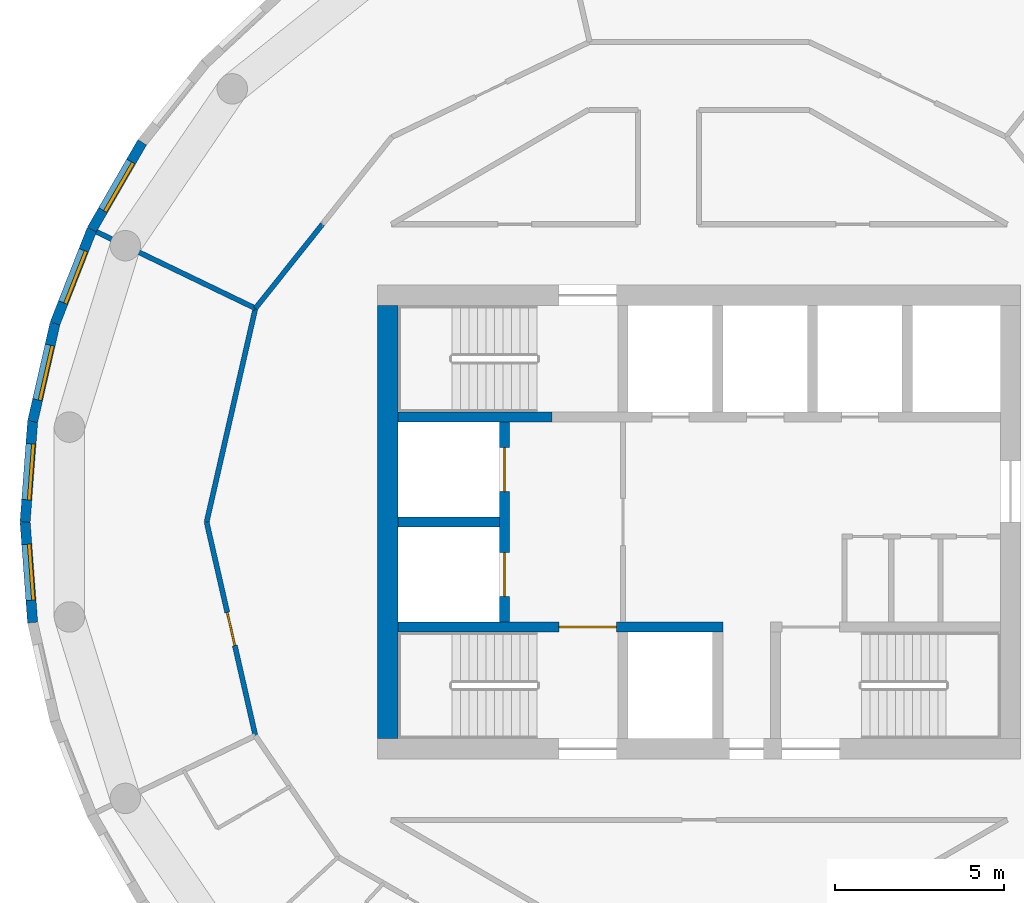
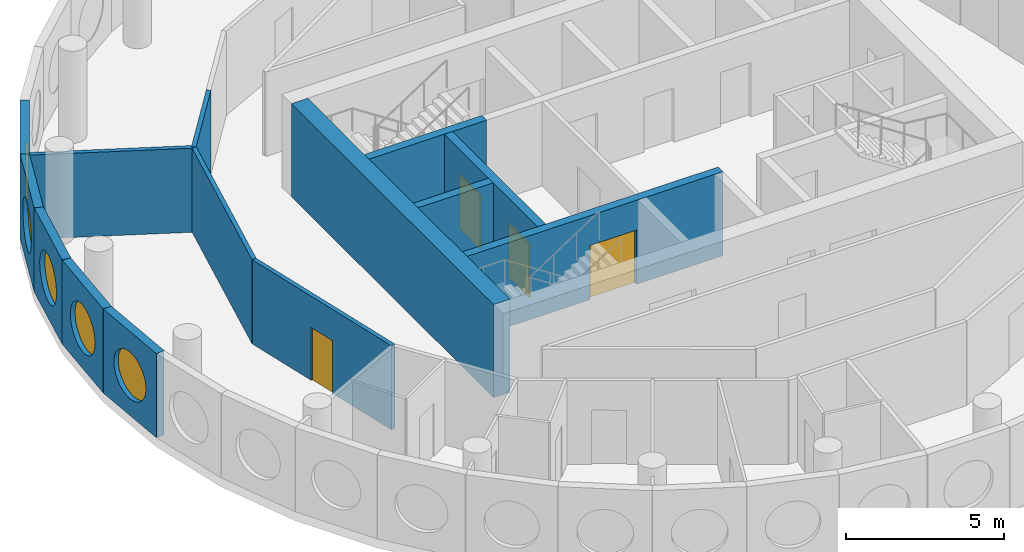
# One storey, part 5 of 12: 14 walls, 5 windows, 4 doors, 9 openings.
"""IFC4 building model written with IfcOpenShell, lengths in metres."""

from ifc_helpers import new_model, si_unit, direction, frame, frame_2d, origin, origin_2d, place, context, subcontext, project, spatial, rectangle, circle, extrude, material, layer, layer_set, type_object, element, fill, save


model = new_model("IFC4")

# Units and contexts
model_context = context("Model", 3, precision=1e-05, world=origin(), true_north=direction((0.0, 1.0)))
body_context = subcontext(model_context, "Body", "Model", "MODEL_VIEW")
ifc_project = project(units=[si_unit("LENGTHUNIT", "METRE"), si_unit("AREAUNIT", "SQUARE_METRE"), si_unit("VOLUMEUNIT", "CUBIC_METRE"), si_unit("PLANEANGLEUNIT", "RADIAN"), si_unit("MASSUNIT", "GRAM", prefix="KILO")], contexts=[model_context])

# Site, building, storey
site_placement = place(None, origin())
site = spatial("IfcSite", under=ifc_project, at=site_placement, CompositionType="ELEMENT")
building_placement = place(site_placement, origin())
building = spatial("IfcBuilding", under=site, at=building_placement, Name="Tracery Tower", CompositionType="ELEMENT")
storey_placement = place(building_placement, frame((0.0, 0.0, 327.0)))
storey = spatial("IfcBuildingStorey", under=building, at=storey_placement, Name="L85", CompositionType="ELEMENT", Elevation=327.0)

# Wall
ifc_material_1 = material(Name="Concrete C40/50", Category="concrete")
ifc_layer_1 = layer(ifc_material_1, 0.60009765625)
ifc_layer_set_1 = layer_set([ifc_layer_1], Name="Core wall 600 C40")
wall_type_1 = type_object("IfcWallType", Name="Core wall 600 C40", PredefinedType="SOLIDWALL", material=ifc_layer_set_1)
wall_1_placement = place(storey_placement, frame((-9.199951171875, -6.39990234375, 0.0), z_axis=(0.0, 0.0, 1.0), x_axis=(0.0, 1.0, 0.0)))
element("IfcWall", 1, at=wall_1_placement, inside=storey, type_object=wall_type_1, Name="L85 outer W", PredefinedType="SOLIDWALL", context=body_context, shape_type="SweptSolid", body=[
    extrude(rectangle(XDim=12.7998046875, YDim=0.60009765625, at=frame_2d((6.39990234375, 0.0))), origin(), (0.0, 0.0, 1.0), 3.60009765625),
])

# Wall, opening, window
ifc_material_2 = material(Name="Precast concrete C50/60", Category="concrete")
ifc_layer_2 = layer(ifc_material_2, 0.300048828125)
ifc_layer_set_2 = layer_set([ifc_layer_2], Name="Facade panel 3000 x 3250")
wall_type_2 = type_object("IfcWallType", Name="Facade panel 3000 x 3250", PredefinedType="SOLIDWALL", material=ifc_layer_set_2)
wall_2_placement = place(storey_placement, frame((-16.460205078125, 11.222412109375, 0.0), z_axis=(0.0, 0.0, 1.0), x_axis=(-0.500001626982, -0.866024464444, 0.0)))
wall_2 = element("IfcWall", 2, at=wall_2_placement, inside=storey, type_object=wall_type_2, Name="Facade panel 18 at L85", PredefinedType="SOLIDWALL", context=body_context, shape_type="SweptSolid", body=[
    extrude(rectangle(XDim=2.9775390625, YDim=0.300048828125, at=frame_2d((1.48876953125, 0.0))), origin(), (0.0, 0.0, 1.0), 3.25),
])
opening_1_placement = place(wall_2_placement, frame((1.48876953125, 0.0, 1.5498046875)))
opening_1 = element("IfcOpeningElement", 3, at=opening_1_placement, cuts=wall_2, Name="Opening WN1", PredefinedType="OPENING", context=body_context, shape_type="SweptSolid", body=[
    extrude(circle(Radius=0.9000244140625, at=origin_2d()), frame((0.0, 0.159912109375, 0.0), z_axis=(0.0, -1.0, 0.0), x_axis=(1.0, 0.0, 0.0)), (0.0, 0.0, 1.0), 0.320068359375),
])
ifc_material_3 = material(Name="Aluminium frame with tinted double glazing", Category="aluminium")
window_type = type_object("IfcWindowType", Name="Round window 1800", PartitioningType="SINGLE_PANEL", PredefinedType="WINDOW", material=ifc_material_3)
window_1_placement = place(opening_1_placement, origin())
window_1 = element("IfcWindow", 4, at=window_1_placement, inside=storey, type_object=window_type, Name="Round window 18 at L85", OverallHeight=1.800048828125, OverallWidth=1.800048828125, PartitioningType="SINGLE_PANEL", PredefinedType="WINDOW", context=body_context, shape_type="SweptSolid", body=[
    extrude(circle(Radius=0.9000244140625, at=origin_2d()), frame((0.0, 0.1201171875, 0.0), z_axis=(0.0, -1.0, 0.0), x_axis=(1.0, 0.0, 0.0)), (0.0, 0.0, 1.0), 0.10009765625),
])
fill(opening_1, window_1)

wall_3_placement = place(storey_placement, frame((-17.948974609375, 8.643798828125, 0.0), z_axis=(0.0, 0.0, 1.0), x_axis=(-0.365289571566, -0.930893940739, 0.0)))
wall_3 = element("IfcWall", 5, at=wall_3_placement, inside=storey, type_object=wall_type_2, Name="Facade panel 19 at L85", PredefinedType="SOLIDWALL", context=body_context, shape_type="SweptSolid", body=[
    extrude(rectangle(XDim=2.9775390625, YDim=0.300048828125, at=frame_2d((1.48876953125, 0.0))), origin(), (0.0, 0.0, 1.0), 3.25),
])
opening_2_placement = place(wall_3_placement, frame((1.48876953125, 0.0, 1.5498046875)))
opening_2 = element("IfcOpeningElement", 6, at=opening_2_placement, cuts=wall_3, Name="Opening WN1", PredefinedType="OPENING", context=body_context, shape_type="SweptSolid", body=[
    extrude(circle(Radius=0.9000244140625, at=origin_2d()), frame((0.0, 0.159912109375, 0.0), z_axis=(0.0, -1.0, 0.0), x_axis=(1.0, 0.0, 0.0)), (0.0, 0.0, 1.0), 0.320068359375),
])
window_2_placement = place(opening_2_placement, origin())
window_2 = element("IfcWindow", 7, at=window_2_placement, inside=storey, type_object=window_type, Name="Round window 19 at L85", OverallHeight=1.800048828125, OverallWidth=1.800048828125, PartitioningType="SINGLE_PANEL", PredefinedType="WINDOW", context=body_context, shape_type="SweptSolid", body=[
    extrude(circle(Radius=0.9000244140625, at=origin_2d()), frame((0.0, 0.1201171875, 0.0), z_axis=(0.0, -1.0, 0.0), x_axis=(1.0, 0.0, 0.0)), (0.0, 0.0, 1.0), 0.10009765625),
])
fill(opening_2, window_2)

wall_4_placement = place(storey_placement, frame((-19.03662109375, 5.8720703125, 0.0), z_axis=(0.0, 0.0, 1.0), x_axis=(-0.222535358937, -0.974924619662, 0.0)))
wall_4 = element("IfcWall", 8, at=wall_4_placement, inside=storey, type_object=wall_type_2, Name="Facade panel 20 at L85", PredefinedType="SOLIDWALL", context=body_context, shape_type="SweptSolid", body=[
    extrude(rectangle(XDim=2.9775390625, YDim=0.300048828125, at=frame_2d((1.48876953125, 0.0))), origin(), (0.0, 0.0, 1.0), 3.25),
])
opening_3_placement = place(wall_4_placement, frame((1.48876953125, 0.0, 1.5498046875)))
opening_3 = element("IfcOpeningElement", 9, at=opening_3_placement, cuts=wall_4, Name="Opening WN1", PredefinedType="OPENING", context=body_context, shape_type="SweptSolid", body=[
    extrude(circle(Radius=0.9000244140625, at=origin_2d()), frame((0.0, 0.159912109375, 0.0), z_axis=(0.0, -1.0, 0.0), x_axis=(1.0, 0.0, 0.0)), (0.0, 0.0, 1.0), 0.320068359375),
])
window_3_placement = place(opening_3_placement, origin())
window_3 = element("IfcWindow", 10, at=window_3_placement, inside=storey, type_object=window_type, Name="Round window 20 at L85", OverallHeight=1.800048828125, OverallWidth=1.800048828125, PartitioningType="SINGLE_PANEL", PredefinedType="WINDOW", context=body_context, shape_type="SweptSolid", body=[
    extrude(circle(Radius=0.9000244140625, at=origin_2d()), frame((0.0, 0.1201171875, 0.0), z_axis=(0.0, -1.0, 0.0), x_axis=(1.0, 0.0, 0.0)), (0.0, 0.0, 1.0), 0.10009765625),
])
fill(opening_3, window_3)

wall_5_placement = place(storey_placement, frame((-19.69921875, 2.96923828125, 0.0), z_axis=(0.0, 0.0, 1.0), x_axis=(-0.074777718064, -0.997200227076, 0.0)))
wall_5 = element("IfcWall", 11, at=wall_5_placement, inside=storey, type_object=wall_type_2, Name="Facade panel 21 at L85", PredefinedType="SOLIDWALL", context=body_context, shape_type="SweptSolid", body=[
    extrude(rectangle(XDim=2.9775390625, YDim=0.300048828125, at=frame_2d((1.48876953125, 0.0))), origin(), (0.0, 0.0, 1.0), 3.25),
])
opening_4_placement = place(wall_5_placement, frame((1.48876953125, 0.0, 1.5498046875)))
opening_4 = element("IfcOpeningElement", 12, at=opening_4_placement, cuts=wall_5, Name="Opening WN1", PredefinedType="OPENING", context=body_context, shape_type="SweptSolid", body=[
    extrude(circle(Radius=0.9000244140625, at=origin_2d()), frame((0.0, 0.159912109375, 0.0), z_axis=(0.0, -1.0, 0.0), x_axis=(1.0, 0.0, 0.0)), (0.0, 0.0, 1.0), 0.320068359375),
])
window_4_placement = place(opening_4_placement, origin())
window_4 = element("IfcWindow", 13, at=window_4_placement, inside=storey, type_object=window_type, Name="Round window 21 at L85", OverallHeight=1.800048828125, OverallWidth=1.800048828125, PartitioningType="SINGLE_PANEL", PredefinedType="WINDOW", context=body_context, shape_type="SweptSolid", body=[
    extrude(circle(Radius=0.9000244140625, at=origin_2d()), frame((0.0, 0.1201171875, 0.0), z_axis=(0.0, -1.0, 0.0), x_axis=(1.0, 0.0, 0.0)), (0.0, 0.0, 1.0), 0.10009765625),
])
fill(opening_4, window_4)

wall_6_placement = place(storey_placement, frame((-19.921875, 0.0, 0.0), z_axis=(0.0, 0.0, 1.0), x_axis=(0.074777718064, -0.997200227076, 0.0)))
wall_6 = element("IfcWall", 14, at=wall_6_placement, inside=storey, type_object=wall_type_2, Name="Facade panel 22 at L85", PredefinedType="SOLIDWALL", context=body_context, shape_type="SweptSolid", body=[
    extrude(rectangle(XDim=2.9775390625, YDim=0.300048828125, at=frame_2d((1.48876953125, 0.0))), origin(), (0.0, 0.0, 1.0), 3.25),
])
opening_5_placement = place(wall_6_placement, frame((1.48876953125, 0.0, 1.5498046875)))
opening_5 = element("IfcOpeningElement", 15, at=opening_5_placement, cuts=wall_6, Name="Opening WN1", PredefinedType="OPENING", context=body_context, shape_type="SweptSolid", body=[
    extrude(circle(Radius=0.9000244140625, at=origin_2d()), frame((0.0, 0.159912109375, 0.0), z_axis=(0.0, -1.0, 0.0), x_axis=(1.0, 0.0, 0.0)), (0.0, 0.0, 1.0), 0.320068359375),
])
window_5_placement = place(opening_5_placement, origin())
window_5 = element("IfcWindow", 16, at=window_5_placement, inside=storey, type_object=window_type, Name="Round window 22 at L85", OverallHeight=1.800048828125, OverallWidth=1.800048828125, PartitioningType="SINGLE_PANEL", PredefinedType="WINDOW", context=body_context, shape_type="SweptSolid", body=[
    extrude(circle(Radius=0.9000244140625, at=origin_2d()), frame((0.0, 0.1201171875, 0.0), z_axis=(0.0, -1.0, 0.0), x_axis=(1.0, 0.0, 0.0)), (0.0, 0.0, 1.0), 0.10009765625),
])
fill(opening_5, window_5)

# Walls
ifc_material_4 = material(Name="Plasterboard on steel studs", Category="steel")
ifc_layer_3 = layer(ifc_material_4, 0.14990234375)
ifc_layer_set_3 = layer_set([ifc_layer_3], Name="Partition 150 acoustic unit wall")
wall_type_3 = type_object("IfcWallType", Name="Partition 150 acoustic unit wall", PredefinedType="PARTITIONING", material=ifc_layer_set_3)
wall_7_placement = place(storey_placement, frame((-17.81298828125, 8.577880859375, 0.0), z_axis=(0.0, 0.0, 1.0), x_axis=(0.901004381064, -0.433809987557, 0.0)))
element("IfcWall", 17, at=wall_7_placement, inside=storey, type_object=wall_type_3, Name="Unit wall RC10-042", PredefinedType="PARTITIONING", context=body_context, shape_type="SweptSolid", body=[
    extrude(rectangle(XDim=5.214111328125, YDim=0.14990234375, at=frame_2d((2.60693359375, 0.0))), origin(), (0.0, 0.0, 1.0), 3.25),
])
ifc_material_5 = material(Name="Plasterboard on steel studs", Category="steel")
ifc_layer_4 = layer(ifc_material_5, 0.14990234375)
ifc_layer_set_4 = layer_set([ifc_layer_4], Name="Partition 150 corridor wall")
wall_type_4 = type_object("IfcWallType", Name="Partition 150 corridor wall", PredefinedType="PARTITIONING", material=ifc_layer_set_4)
wall_8_placement = place(storey_placement, frame((-13.114990234375, 6.31591796875, 0.0), z_axis=(0.0, 0.0, 1.0), x_axis=(0.623476099415, 0.781842409606, 0.0)))
element("IfcWall", 18, at=wall_8_placement, inside=storey, type_object=wall_type_4, Name="Corridor wall RC10-030", PredefinedType="PARTITIONING", context=body_context, shape_type="SweptSolid", body=[
    extrude(rectangle(XDim=3.17724609375, YDim=0.14990234375, at=frame_2d((1.588623046875, 0.0))), origin(), (0.0, 0.0, 1.0), 3.25),
])

# Wall, opening, door
wall_9_placement = place(storey_placement, frame((-14.556884765625, 0.0, 0.0), z_axis=(0.0, 0.0, 1.0), x_axis=(0.222568978642, -0.97491694505, 0.0)))
wall_9 = element("IfcWall", 19, at=wall_9_placement, inside=storey, type_object=wall_type_4, Name="Corridor wall RC10-031", PredefinedType="PARTITIONING", context=body_context, shape_type="SweptSolid", body=[
    extrude(rectangle(XDim=6.478515625, YDim=0.14990234375, at=frame_2d((3.2392578125, 0.0))), origin(), (0.0, 0.0, 1.0), 3.25),
])
opening_6_placement = place(wall_9_placement, frame((2.739501953125, 0.0, 0.0)))
opening_6 = element("IfcOpeningElement", 20, at=opening_6_placement, cuts=wall_9, Name="Opening RC10-07", PredefinedType="OPENING", context=body_context, shape_type="SweptSolid", body=[
    extrude(rectangle(XDim=1.0, YDim=2.0400390625, at=frame_2d((0.5, 1.02001953125))), frame((0.0, 0.074951171875, 0.0), z_axis=(0.0, -1.0, 0.0), x_axis=(1.0, 0.0, 0.0)), (0.0, 0.0, 1.0), 0.14990234375),
])
ifc_material_6 = material(Name="Timber door leaf", Category="wood")
door_type_1 = type_object("IfcDoorType", Name="Door communal room 1000", OperationType="NOTDEFINED", PredefinedType="DOOR", material=ifc_material_6)
door_1_placement = place(opening_6_placement, origin())
door_1 = element("IfcDoor", 21, at=door_1_placement, inside=storey, type_object=door_type_1, Name="Communal room door RC10-07", OperationType="SINGLE_SWING_LEFT", OverallHeight=2.0400390625, OverallWidth=1.0, PredefinedType="DOOR", context=body_context, shape_type="SweptSolid", body=[
    extrude(rectangle(XDim=1.0, YDim=2.0400390625, at=frame_2d((0.5, 1.02001953125))), frame((0.0, 0.02490234375, 0.0), z_axis=(0.0, -1.0, 0.0), x_axis=(1.0, 0.0, 0.0)), (0.0, 0.0, 1.0), 0.050048828125),
])
fill(opening_6, door_1)

# Walls
wall_10_placement = place(storey_placement, frame((-14.556884765625, 0.0, 0.0), z_axis=(0.0, 0.0, 1.0), x_axis=(0.222568978642, 0.97491694505, 0.0)))
element("IfcWall", 22, at=wall_10_placement, inside=storey, type_object=wall_type_4, Name="Corridor wall RC10-032", PredefinedType="PARTITIONING", context=body_context, shape_type="SweptSolid", body=[
    extrude(rectangle(XDim=6.478515625, YDim=0.14990234375, at=frame_2d((3.2392578125, 0.0))), origin(), (0.0, 0.0, 1.0), 3.25),
])
ifc_material_7 = material(Name="Concrete C40/50", Category="concrete")
ifc_layer_5 = layer(ifc_material_7, 0.300048828125)
ifc_layer_set_5 = layer_set([ifc_layer_5], Name="Shaft wall 300 C40")
wall_type_5 = type_object("IfcWallType", Name="Shaft wall 300 C40", PredefinedType="SOLIDWALL", material=ifc_layer_set_5)
wall_11_placement = place(storey_placement, frame((-8.89990234375, 0.0, 0.0), z_axis=(0.0, 0.0, 1.0), x_axis=(1.0, 0.0, 0.0)))
element("IfcWall", 23, at=wall_11_placement, inside=storey, type_object=wall_type_5, Name="L85 FF split", PredefinedType="SOLIDWALL", context=body_context, shape_type="SweptSolid", body=[
    extrude(rectangle(XDim=3.0, YDim=0.300048828125, at=frame_2d((1.5, 0.0))), origin(), (0.0, 0.0, 1.0), 3.25),
])

# Wall, openings, doors
wall_12_placement = place(storey_placement, frame((-5.75, -2.949951171875, 0.0), z_axis=(0.0, 0.0, 1.0), x_axis=(0.0, 1.0, 0.0)))
wall_12 = element("IfcWall", 24, at=wall_12_placement, inside=storey, type_object=wall_type_5, Name="L85 FF doors", PredefinedType="SOLIDWALL", context=body_context, shape_type="SweptSolid", body=[
    extrude(rectangle(XDim=5.89990234375, YDim=0.300048828125, at=frame_2d((2.949951171875, 0.0))), origin(), (0.0, 0.0, 1.0), 3.25),
])
opening_7_placement = place(wall_12_placement, frame((0.75, 0.0, 0.0)))
opening_7 = element("IfcOpeningElement", 25, at=opening_7_placement, cuts=wall_12, Name="Opening KD54", PredefinedType="OPENING", context=body_context, shape_type="SweptSolid", body=[
    extrude(rectangle(XDim=1.300048828125, YDim=2.10009765625, at=frame_2d((0.64990234375, 1.050048828125))), frame((0.0, 0.14990234375, 0.0), z_axis=(0.0, -1.0, 0.0), x_axis=(1.0, 0.0, 0.0)), (0.0, 0.0, 1.0), 0.300048828125),
])
opening_8_placement = place(wall_12_placement, frame((3.85009765625, 0.0, 0.0)))
opening_8 = element("IfcOpeningElement", 26, at=opening_8_placement, cuts=wall_12, Name="Opening KD55", PredefinedType="OPENING", context=body_context, shape_type="SweptSolid", body=[
    extrude(rectangle(XDim=1.300048828125, YDim=2.10009765625, at=frame_2d((0.64990234375, 1.050048828125))), frame((0.0, 0.14990234375, 0.0), z_axis=(0.0, -1.0, 0.0), x_axis=(1.0, 0.0, 0.0)), (0.0, 0.0, 1.0), 0.300048828125),
])
ifc_material_8 = material(Name="Steel fire door", Category="steel")
door_type_2 = type_object("IfcDoorType", Name="Landing door FF 1300", OperationType="NOTDEFINED", PredefinedType="DOOR", material=ifc_material_8)
door_2_placement = place(opening_7_placement, origin())
door_2 = element("IfcDoor", 27, at=door_2_placement, inside=storey, type_object=door_type_2, Name="Landing door FF1", OperationType="SLIDING_TO_LEFT", OverallHeight=2.10009765625, OverallWidth=1.300048828125, PredefinedType="DOOR", context=body_context, shape_type="SweptSolid", body=[
    extrude(rectangle(XDim=1.300048828125, YDim=2.10009765625, at=frame_2d((0.64990234375, 1.050048828125))), frame((0.0, 0.02490234375, 0.0), z_axis=(0.0, -1.0, 0.0), x_axis=(1.0, 0.0, 0.0)), (0.0, 0.0, 1.0), 0.050048828125),
])
fill(opening_7, door_2)
door_3_placement = place(opening_8_placement, origin())
door_3 = element("IfcDoor", 28, at=door_3_placement, inside=storey, type_object=door_type_2, Name="Landing door FF2", OperationType="SLIDING_TO_RIGHT", OverallHeight=2.10009765625, OverallWidth=1.300048828125, PredefinedType="DOOR", context=body_context, shape_type="SweptSolid", body=[
    extrude(rectangle(XDim=1.300048828125, YDim=2.10009765625, at=frame_2d((0.64990234375, 1.050048828125))), frame((0.0, 0.02490234375, 0.0), z_axis=(0.0, -1.0, 0.0), x_axis=(1.0, 0.0, 0.0)), (0.0, 0.0, 1.0), 0.050048828125),
])
fill(opening_8, door_3)

# Wall, opening, door
ifc_material_9 = material(Name="Concrete C40/50", Category="concrete")
ifc_layer_6 = layer(ifc_material_9, 0.300048828125)
ifc_layer_set_6 = layer_set([ifc_layer_6], Name="Stair wall 300 C40")
wall_type_6 = type_object("IfcWallType", Name="Stair wall 300 C40", PredefinedType="SOLIDWALL", material=ifc_layer_set_6)
wall_13_placement = place(storey_placement, frame((-8.89990234375, -3.10009765625, 0.0), z_axis=(0.0, 0.0, 1.0), x_axis=(1.0, 0.0, 0.0)))
wall_13 = element("IfcWall", 29, at=wall_13_placement, inside=storey, type_object=wall_type_6, Name="L85 row S", PredefinedType="SOLIDWALL", context=body_context, shape_type="SweptSolid", body=[
    extrude(rectangle(XDim=9.599853515625, YDim=0.300048828125, at=frame_2d((4.7998046875, 0.0))), origin(), (0.0, 0.0, 1.0), 3.25),
])
opening_9_placement = place(wall_13_placement, frame((4.75, 0.0, 0.0)))
opening_9 = element("IfcOpeningElement", 30, at=opening_9_placement, cuts=wall_13, Name="Opening KD3", PredefinedType="OPENING", context=body_context, shape_type="SweptSolid", body=[
    extrude(rectangle(XDim=1.699951171875, YDim=2.10009765625, at=frame_2d((0.85009765625, 1.050048828125))), frame((0.0, 0.14990234375, 0.0), z_axis=(0.0, -1.0, 0.0), x_axis=(1.0, 0.0, 0.0)), (0.0, 0.0, 1.0), 0.300048828125),
])
ifc_material_10 = material(Name="Steel fire door", Category="steel")
door_type_3 = type_object("IfcDoorType", Name="Core stair door 1700 double", OperationType="NOTDEFINED", PredefinedType="DOOR", material=ifc_material_10)
door_4_placement = place(opening_9_placement, origin())
door_4 = element("IfcDoor", 31, at=door_4_placement, inside=storey, type_object=door_type_3, Name="Stair door ST1", OperationType="DOUBLE_DOOR_SINGLE_SWING", OverallHeight=2.10009765625, OverallWidth=1.699951171875, PredefinedType="DOOR", context=body_context, shape_type="SweptSolid", body=[
    extrude(rectangle(XDim=1.699951171875, YDim=2.10009765625, at=frame_2d((0.85009765625, 1.050048828125))), frame((0.0, 0.02490234375, 0.0), z_axis=(0.0, -1.0, 0.0), x_axis=(1.0, 0.0, 0.0)), (0.0, 0.0, 1.0), 0.050048828125),
])
fill(opening_9, door_4)

# Wall
wall_14_placement = place(storey_placement, frame((-8.89990234375, 3.10009765625, 0.0), z_axis=(0.0, 0.0, 1.0), x_axis=(1.0, 0.0, 0.0)))
element("IfcWall", 32, at=wall_14_placement, inside=storey, type_object=wall_type_6, Name="L85 row N W", PredefinedType="SOLIDWALL", context=body_context, shape_type="SweptSolid", body=[
    extrude(rectangle(XDim=4.5498046875, YDim=0.300048828125, at=frame_2d((2.27490234375, 0.0))), origin(), (0.0, 0.0, 1.0), 3.25),
])

save(model, "model.ifc")
